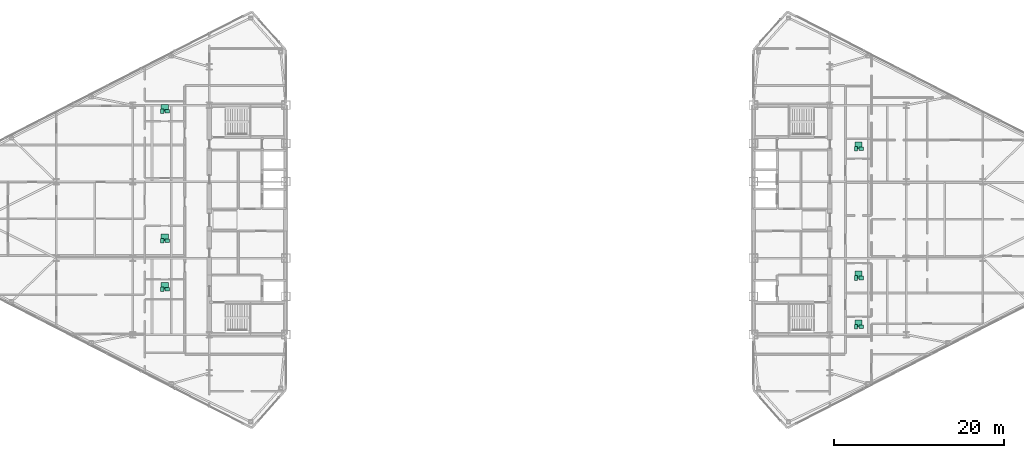
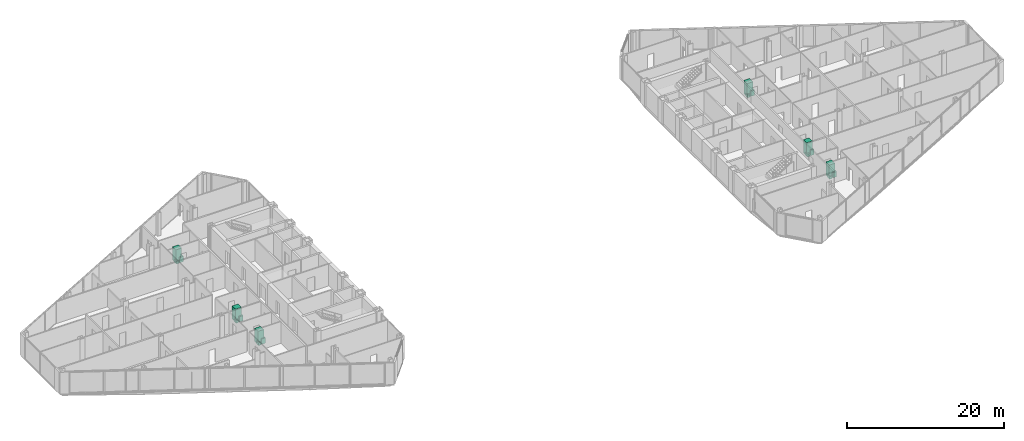
# One storey, part 23 of 23: 18 sanitary terminals.
"""IFC4 building model written with IfcOpenShell, lengths in metres."""

from ifc_helpers import new_model, si_unit, direction, frame, origin, origin_2d, place, context, subcontext, project, spatial, rectangle, extrude, source, transform, mapped, material, type_object, type_shapes, element, save


model = new_model("IFC4")

# Units and contexts
model_context = context("Model", 3, precision=1e-05, world=origin(), true_north=direction((0.0, 1.0)))
body_context = subcontext(model_context, "Body", "Model", "MODEL_VIEW")
ifc_project = project(units=[si_unit("LENGTHUNIT", "METRE"), si_unit("AREAUNIT", "SQUARE_METRE"), si_unit("VOLUMEUNIT", "CUBIC_METRE"), si_unit("PLANEANGLEUNIT", "RADIAN"), si_unit("MASSUNIT", "GRAM", prefix="KILO")], contexts=[model_context])

# Site, building, storey
site_placement = place(None, origin())
site = spatial("IfcSite", under=ifc_project, at=site_placement, CompositionType="ELEMENT")
building_placement = place(site_placement, origin())
building = spatial("IfcBuilding", under=site, at=building_placement, Name="Seokmaru Belvedere", CompositionType="ELEMENT")
storey_placement = place(building_placement, frame((0.0, 0.0, 154.800048828125)))
storey = spatial("IfcBuildingStorey", under=building, at=storey_placement, Name="L41", CompositionType="ELEMENT", Elevation=154.800048828125)

# Sanitary terminals
ifc_material_1 = material(Name="Vitreous China Sanitaryware")
sanitary_terminal_type_1 = type_object("IfcSanitaryTerminalType", Name="Wall-Hung Vitreous China WC Pan", PredefinedType="TOILETPAN", material=ifc_material_1)
shared_shape_1 = source(origin(), body_context, "Body", "SweptSolid", [
    extrude(rectangle(XDim=0.3798828125, YDim=0.56005859375, at=origin_2d()), origin(), (0.0, 0.0, 1.0), 0.419921875),
])
type_shapes(sanitary_terminal_type_1, [shared_shape_1])
for number, where, z_axis, x_axis, name in (
    (1, (-42.050048828125, -8.169921875, 0.0), (0.0, 0.0, 1.0), (1.0, 0.0, 0.0), "L41 Vitreous China WC 0223"),
    (2, (-42.050048828125, -2.446044921875, 0.0), (0.0, 0.0, 1.0), (1.0, 0.0, 0.0), "L41 Vitreous China WC 0224"),
    (3, (-42.050048828125, 12.77001953125, 0.0), (0.0, 0.0, 1.0), (1.0, 0.0, 0.0), "L41 Vitreous China WC 0225"),
    (4, (39.574951171875, -12.570068359375, 0.0), (0.0, 0.0, 1.0), (1.0, 0.0, 0.0), "L41 Vitreous China WC 0226"),
    (5, (39.574951171875, -6.845947265625, 0.0), (0.0, 0.0, 1.0), (1.0, 0.0, 0.0), "L41 Vitreous China WC 0227"),
    (6, (39.574951171875, 8.3701171875, 0.0), (0.0, 0.0, 1.0), (1.0, 0.0, 0.0), "L41 Vitreous China WC 0228"),
):
    element("IfcSanitaryTerminal", number, at=place(storey_placement, frame(where, z_axis=z_axis, x_axis=x_axis)), inside=storey, type_object=sanitary_terminal_type_1, Name=name, PredefinedType="TOILETPAN", context=body_context, shape_type="MappedRepresentation", body=[
        mapped(shared_shape_1, transform((0.0, 0.0, 0.0), scale=1.0)),
    ])
sanitary_terminal_type_2 = type_object("IfcSanitaryTerminalType", Name="Countertop Ceramic Washhand Basin", PredefinedType="WASHHANDBASIN", material=ifc_material_1)
shared_shape_2 = source(origin(), body_context, "Body", "SweptSolid", [
    extrude(rectangle(XDim=0.550048828125, YDim=0.449951171875, at=origin_2d()), origin(), (0.0, 0.0, 1.0), 0.820068359375),
])
type_shapes(sanitary_terminal_type_2, [shared_shape_2])
for number, where, z_axis, x_axis, name in (
    (7, (-41.449951171875, -8.169921875, 0.0), (0.0, 0.0, 1.0), (1.0, 0.0, 0.0), "L41 Ceramic Washhand Basin 0223"),
    (8, (-41.449951171875, -2.446044921875, 0.0), (0.0, 0.0, 1.0), (1.0, 0.0, 0.0), "L41 Ceramic Washhand Basin 0224"),
    (9, (-41.449951171875, 12.77001953125, 0.0), (0.0, 0.0, 1.0), (1.0, 0.0, 0.0), "L41 Ceramic Washhand Basin 0225"),
    (10, (40.175048828125, -12.570068359375, 0.0), (0.0, 0.0, 1.0), (1.0, 0.0, 0.0), "L41 Ceramic Washhand Basin 0226"),
    (11, (40.175048828125, -6.845947265625, 0.0), (0.0, 0.0, 1.0), (1.0, 0.0, 0.0), "L41 Ceramic Washhand Basin 0227"),
    (12, (40.175048828125, 8.3701171875, 0.0), (0.0, 0.0, 1.0), (1.0, 0.0, 0.0), "L41 Ceramic Washhand Basin 0228"),
):
    element("IfcSanitaryTerminal", number, at=place(storey_placement, frame(where, z_axis=z_axis, x_axis=x_axis)), inside=storey, type_object=sanitary_terminal_type_2, Name=name, PredefinedType="WASHHANDBASIN", context=body_context, shape_type="MappedRepresentation", body=[
        mapped(shared_shape_2, transform((0.0, 0.0, 0.0), scale=1.0)),
    ])
ifc_material_2 = material(Name="Stainless Steel 316", Category="steel")
sanitary_terminal_type_3 = type_object("IfcSanitaryTerminalType", Name="Walk-In Thermostatic Rain Shower Enclosure", PredefinedType="SHOWER", material=ifc_material_2)
shared_shape_3 = source(origin(), body_context, "Body", "SweptSolid", [
    extrude(rectangle(XDim=0.85009765625, YDim=0.85009765625, at=origin_2d()), origin(), (0.0, 0.0, 1.0), 2.050048828125),
])
type_shapes(sanitary_terminal_type_3, [shared_shape_3])
for number, where, z_axis, x_axis, name in (
    (13, (-41.75, -7.7900390625, 0.0), (0.0, 0.0, 1.0), (1.0, 0.0, 0.0), "L41 Walk-In Shower 0223"),
    (14, (-41.75, -2.06591796875, 0.0), (0.0, 0.0, 1.0), (1.0, 0.0, 0.0), "L41 Walk-In Shower 0224"),
    (15, (-41.75, 13.14990234375, 0.0), (0.0, 0.0, 1.0), (1.0, 0.0, 0.0), "L41 Walk-In Shower 0225"),
    (16, (39.875, -12.18994140625, 0.0), (0.0, 0.0, 1.0), (1.0, 0.0, 0.0), "L41 Walk-In Shower 0226"),
    (17, (39.875, -6.466064453125, 0.0), (0.0, 0.0, 1.0), (1.0, 0.0, 0.0), "L41 Walk-In Shower 0227"),
    (18, (39.875, 8.75, 0.0), (0.0, 0.0, 1.0), (1.0, 0.0, 0.0), "L41 Walk-In Shower 0228"),
):
    element("IfcSanitaryTerminal", number, at=place(storey_placement, frame(where, z_axis=z_axis, x_axis=x_axis)), inside=storey, type_object=sanitary_terminal_type_3, Name=name, PredefinedType="SHOWER", context=body_context, shape_type="MappedRepresentation", body=[
        mapped(shared_shape_3, transform((0.0, 0.0, 0.0), scale=1.0)),
    ])

save(model, "model.ifc")
